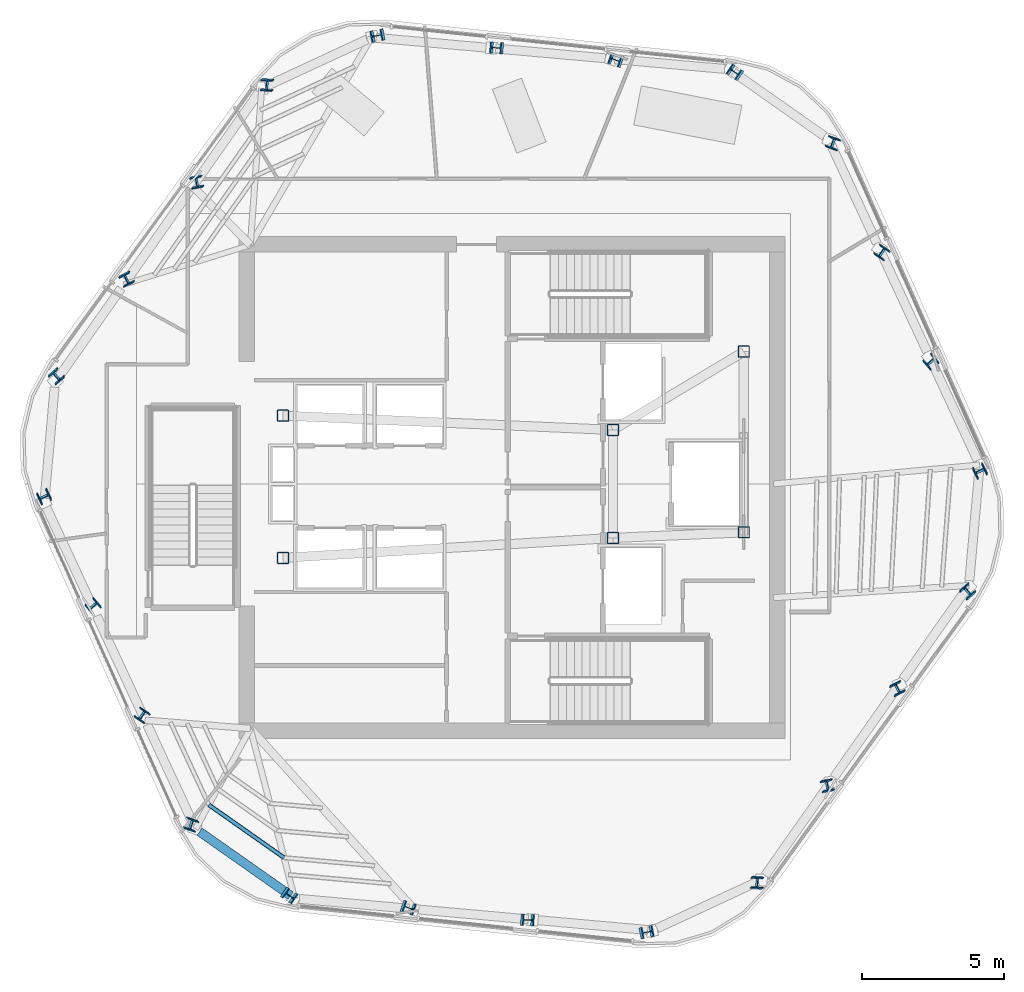
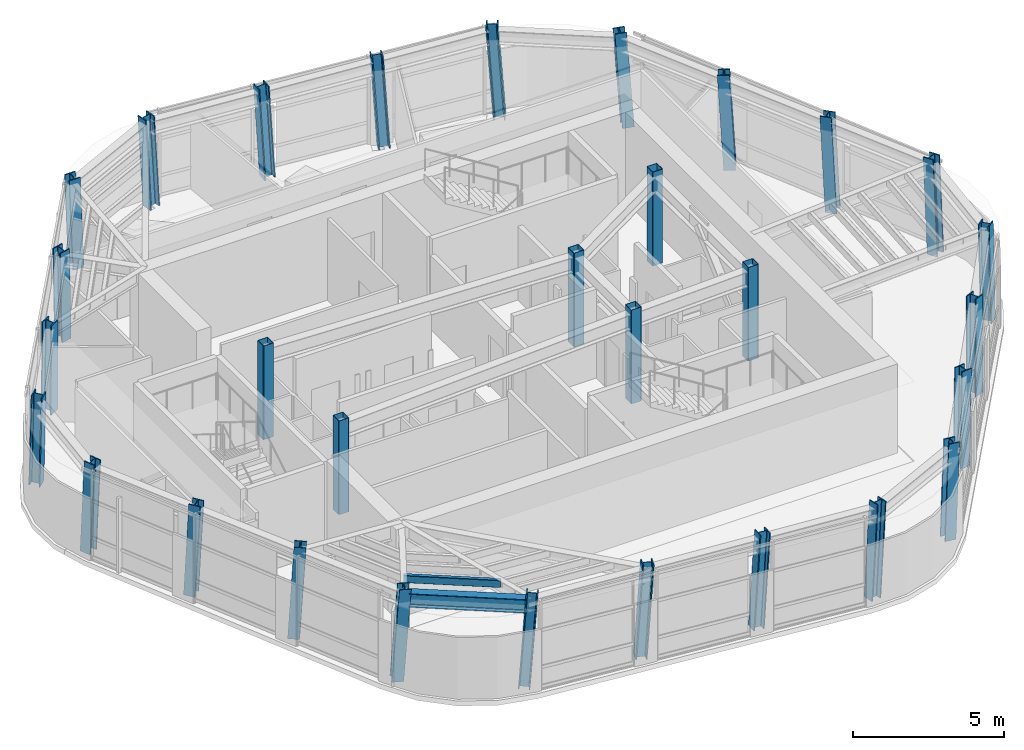
# One storey, part 1 of 12: 30 columns, 1 beam, 1 member.
"""IFC4 building model written with IfcOpenShell, lengths in metres."""

from ifc_helpers import new_model, si_unit, direction, frame, origin, origin_2d, place, context, subcontext, project, spatial, hollow_rectangle, i_section, extrude, material, material_profile, profile_set, type_object, element, save


model = new_model("IFC4")

# Units and contexts
model_context = context("Model", 3, precision=1e-05, world=origin(), true_north=direction((0.0, 1.0)))
body_context = subcontext(model_context, "Body", "Model", "MODEL_VIEW")
ifc_project = project(units=[si_unit("LENGTHUNIT", "METRE"), si_unit("AREAUNIT", "SQUARE_METRE"), si_unit("VOLUMEUNIT", "CUBIC_METRE"), si_unit("PLANEANGLEUNIT", "RADIAN"), si_unit("MASSUNIT", "GRAM", prefix="KILO")], contexts=[model_context])

# Site, building, storey
site_placement = place(None, origin())
site = spatial("IfcSite", under=ifc_project, at=site_placement, CompositionType="ELEMENT")
building_placement = place(site_placement, origin())
building = spatial("IfcBuilding", under=site, at=building_placement, Name="Valkerne Bourse Tower", CompositionType="ELEMENT")
storey_placement = place(building_placement, frame((0.0, 0.0, 258.39990234375)))
storey = spatial("IfcBuildingStorey", under=building, at=storey_placement, Name="L65", CompositionType="ELEMENT", Elevation=258.39990234375)

# Columns
ifc_material_1 = material(Name="Steel ASTM A500 Grade C", Category="steel")
ifc_material_profile_1 = material_profile(ifc_material_1, hollow_rectangle(XDim=0.39990234375, YDim=0.39990234375, WallThickness=0.01611328125, OuterFilletRadius=0.031982421875, at=origin_2d()), Name="HSS400X400X16")
ifc_profile_set_1 = profile_set([ifc_material_profile_1], Name="Steel ASTM A500 Grade C")
column_type_1 = type_object("IfcColumnType", Name="COL-HSS400X400X16", PredefinedType="COLUMN", material=ifc_profile_set_1)
for number, where, z_axis, x_axis, name in (
    (1, (38.75, 24.39990234375, 0.005126953125), (0.0, 0.0, 1.0), (1.0, 0.0, 0.0), "L65 Core Frame Column CC-SW"),
    (2, (38.75, 29.39990234375, 0.005126953125), (0.0, 0.0, 1.0), (1.0, 0.0, 0.0), "L65 Core Frame Column CC-NW"),
    (3, (50.35009765625, 25.10009765625, 0.005126953125), (0.0, 0.0, 1.0), (1.0, 0.0, 0.0), "L65 Core Frame Column CC-CE1"),
    (4, (50.35009765625, 28.89990234375, 0.005126953125), (0.0, 0.0, 1.0), (1.0, 0.0, 0.0), "L65 Core Frame Column CC-CE2"),
    (5, (54.949951171875, 25.300048828125, 0.005126953125), (0.0, 0.0, 1.0), (1.0, 0.0, 0.0), "L65 Core Frame Column CC-SE"),
    (6, (54.949951171875, 31.64990234375, 0.005126953125), (0.0, 0.0, 1.0), (1.0, 0.0, 0.0), "L65 Core Frame Column CC-NE"),
):
    element("IfcColumn", number, at=place(storey_placement, frame(where, z_axis=z_axis, x_axis=x_axis)), inside=storey, type_object=column_type_1, Name=name, PredefinedType="COLUMN", context=body_context, shape_type="SweptSolid", body=[
        extrude(hollow_rectangle(XDim=0.39990234375, YDim=0.39990234375, WallThickness=0.01611328125, OuterFilletRadius=0.031982421875, at=origin_2d()), origin(), (0.0, 0.0, 1.0), 3.794921875),
    ])
ifc_material_2 = material(Name="Steel ASTM A913 Grade 65", Category="steel")
ifc_material_profile_2 = material_profile(ifc_material_2, i_section(OverallWidth=0.4013671875, OverallDepth=0.398681640625, WebThickness=0.02490234375, FlangeThickness=0.03955078125, FilletRadius=0.025390625, at=origin_2d()), Name="W14X211")
ifc_profile_set_2 = profile_set([ifc_material_profile_2], Name="Steel ASTM A913 Grade 65")
column_type_2 = type_object("IfcColumnType", Name="COL-W14X211", PredefinedType="COLUMN", material=ifc_profile_set_2)
column_1_placement = place(storey_placement, frame((54.672119140625, 41.455078125, 0.010009765625), z_axis=(-0.06016815794, 0.032145514788, 0.997670516077), x_axis=(0.560624558123, 0.828039406857, 0.007130604589)))
element("IfcColumn", 7, at=column_1_placement, inside=storey, type_object=column_type_2, Name="L65 Helical Perimeter Tube Column F1-C1", PredefinedType="COLUMN", context=body_context, shape_type="SweptSolid", body=[
    extrude(i_section(OverallWidth=0.4013671875, OverallDepth=0.398681640625, WebThickness=0.02490234375, FlangeThickness=0.03955078125, FilletRadius=0.025390625, at=origin_2d()), origin(), (0.0, 0.0, 1.0), 3.789794921875),
])
for number, where, z_axis, x_axis, name in (
    (8, (50.483154296875, 41.895263671875, 0.010009765625), (-0.061861928128, 0.014821086947, 0.997974667629), (0.333159335996, 0.94284709433, 0.006649327233), "L65 Helical Perimeter Tube Column F1-C2"),
    (9, (46.294189453125, 42.335693359375, 0.010009765625), (-0.063537437534, -0.002642023265, 0.9979759585), (0.062908171597, 0.997997182634, 0.006647210027), "L65 Helical Perimeter Tube Column F1-C3"),
):
    element("IfcColumn", number, at=place(storey_placement, frame(where, z_axis=z_axis, x_axis=x_axis)), inside=storey, type_object=column_type_2, Name=name, PredefinedType="COLUMN", context=body_context, shape_type="SweptSolid", body=[
        extrude(i_section(OverallWidth=0.4013671875, OverallDepth=0.398681640625, WebThickness=0.02490234375, FlangeThickness=0.03955078125, FilletRadius=0.025390625, at=origin_2d()), origin(), (0.0, 0.0, 1.0), 3.78857421875),
    ])
for number, where, z_axis, x_axis, name in (
    (10, (42.105224609375, 42.77587890625, 0.010009765625), (-0.065193058305, -0.019970205607, 0.997672820135), (-0.191574198784, 0.981452256134, 0.007127081438), "L65 Helical Perimeter Tube Column F1-C4"),
    (11, (38.217529296875, 41.044921875, 0.010009765625), (-0.057913543628, -0.036010757384, 0.997671913415), (-0.995808054977, 0.072954507511, -0.055172071526), "L65 Helical Perimeter Tube Column F2-C1"),
):
    element("IfcColumn", number, at=place(storey_placement, frame(where, z_axis=z_axis, x_axis=x_axis)), inside=storey, type_object=column_type_2, Name=name, PredefinedType="COLUMN", context=body_context, shape_type="SweptSolid", body=[
        extrude(i_section(OverallWidth=0.4013671875, OverallDepth=0.398681640625, WebThickness=0.02490234375, FlangeThickness=0.03955078125, FilletRadius=0.025390625, at=origin_2d()), origin(), (0.0, 0.0, 1.0), 3.789794921875),
    ])
for number, where, z_axis, x_axis, name in (
    (12, (35.74169921875, 37.637451171875, 0.010009765625), (-0.043690052687, -0.046203197311, 0.997976173991), (-0.981805906982, -0.182785719242, -0.051444551277), "L65 Helical Perimeter Tube Column F2-C2"),
    (13, (33.26611328125, 34.229736328125, 0.010009765625), (-0.029513347576, -0.056320230963, 0.997976449571), (-0.895384284987, -0.442313011736, -0.051441052159), "L65 Helical Perimeter Tube Column F2-C3"),
):
    element("IfcColumn", number, at=place(storey_placement, frame(where, z_axis=z_axis, x_axis=x_axis)), inside=storey, type_object=column_type_2, Name=name, PredefinedType="COLUMN", context=body_context, shape_type="SweptSolid", body=[
        extrude(i_section(OverallWidth=0.4013671875, OverallDepth=0.398681640625, WebThickness=0.02490234375, FlangeThickness=0.03955078125, FilletRadius=0.025390625, at=origin_2d()), origin(), (0.0, 0.0, 1.0), 3.78857421875),
    ])
for number, where, z_axis, x_axis, name in (
    (14, (30.790283203125, 30.822265625, 0.010009765625), (-0.015267514223, -0.066481327756, 0.997670855578), (-0.753529078622, -0.65509433572, -0.055184590049), "L65 Helical Perimeter Tube Column F2-C4"),
    (15, (30.345458984375, 26.58984375, 0.010009765625), (0.002254699019, -0.068156330347, 0.997672105938), (0.436648686645, -0.897472499751, -0.062297966602), "L65 Helical Perimeter Tube Column F3-C1"),
):
    element("IfcColumn", number, at=place(storey_placement, frame(where, z_axis=z_axis, x_axis=x_axis)), inside=storey, type_object=column_type_2, Name=name, PredefinedType="COLUMN", context=body_context, shape_type="SweptSolid", body=[
        extrude(i_section(OverallWidth=0.4013671875, OverallDepth=0.398681640625, WebThickness=0.02490234375, FlangeThickness=0.03955078125, FilletRadius=0.025390625, at=origin_2d()), origin(), (0.0, 0.0, 1.0), 3.789794921875),
    ])
column_2_placement = place(storey_placement, frame((32.05859375, 22.741943359375, 0.010009765625), z_axis=(0.018171943651, -0.060959782604, 0.997974791951), x_axis=(0.650234740222, -0.757507669144, -0.0581112192)))
element("IfcColumn", 16, at=column_2_placement, inside=storey, type_object=column_type_2, Name="L65 Helical Perimeter Tube Column F3-C2", PredefinedType="COLUMN", context=body_context, shape_type="SweptSolid", body=[
    extrude(i_section(OverallWidth=0.4013671875, OverallDepth=0.398681640625, WebThickness=0.02490234375, FlangeThickness=0.03955078125, FilletRadius=0.025390625, at=origin_2d()), origin(), (0.0, 0.0, 1.0), 3.78857421875),
])
column_3_placement = place(storey_placement, frame((33.771728515625, 18.894287109375, 0.010009765625), z_axis=(0.034088318371, -0.053806702911, 0.997969350868), x_axis=(0.831499408824, -0.552469687738, -0.058189150677)))
element("IfcColumn", 17, at=column_3_placement, inside=storey, type_object=column_type_2, Name="L65 Helical Perimeter Tube Column F3-C3", PredefinedType="COLUMN", context=body_context, shape_type="SweptSolid", body=[
    extrude(i_section(OverallWidth=0.4013671875, OverallDepth=0.398681640625, WebThickness=0.02490234375, FlangeThickness=0.03955078125, FilletRadius=0.025390625, at=origin_2d()), origin(), (0.0, 0.0, 1.0), 3.788818359375),
])
for number, where, z_axis, x_axis, name in (
    (18, (35.485107421875, 15.04638671875, 0.010009765625), (0.049925341536, -0.046511092372, 0.997669373369), (0.944117791229, -0.323660330057, -0.062334477078), "L65 Helical Perimeter Tube Column F3-C4"),
    (19, (38.927978515625, 12.544921875, 0.010009765625), (0.06016815794, -0.032145514788, 0.997670516077), (0.560624558123, 0.828039406857, -0.007130604589), "L65 Helical Perimeter Tube Column F4-C1"),
):
    element("IfcColumn", number, at=place(storey_placement, frame(where, z_axis=z_axis, x_axis=x_axis)), inside=storey, type_object=column_type_2, Name=name, PredefinedType="COLUMN", context=body_context, shape_type="SweptSolid", body=[
        extrude(i_section(OverallWidth=0.4013671875, OverallDepth=0.398681640625, WebThickness=0.02490234375, FlangeThickness=0.03955078125, FilletRadius=0.025390625, at=origin_2d()), origin(), (0.0, 0.0, 1.0), 3.789794921875),
    ])
for number, where, z_axis, x_axis, name in (
    (20, (43.11669921875, 12.104736328125, 0.010009765625), (0.061926120649, -0.014821027835, 0.997970687303), (0.332936611784, 0.942925719332, -0.006655851261), "L65 Helical Perimeter Tube Column F4-C2"),
    (21, (47.305908203125, 11.664306640625, 0.010009765625), (0.063537437534, 0.002642023265, 0.9979759585), (0.062908171597, 0.997997182634, -0.006647210027), "L65 Helical Perimeter Tube Column F4-C3"),
):
    element("IfcColumn", number, at=place(storey_placement, frame(where, z_axis=z_axis, x_axis=x_axis)), inside=storey, type_object=column_type_2, Name=name, PredefinedType="COLUMN", context=body_context, shape_type="SweptSolid", body=[
        extrude(i_section(OverallWidth=0.4013671875, OverallDepth=0.398681640625, WebThickness=0.02490234375, FlangeThickness=0.03955078125, FilletRadius=0.025390625, at=origin_2d()), origin(), (0.0, 0.0, 1.0), 3.78857421875),
    ])
for number, where, z_axis, x_axis, name in (
    (22, (51.49462890625, 11.22412109375, 0.010009765625), (0.065257204126, 0.019970121697, 0.997668628127), (-0.19130326281, 0.981505056002, -0.007133490162), "L65 Helical Perimeter Tube Column F4-C4"),
    (23, (55.38232421875, 12.955078125, 0.010009765625), (0.057977747165, 0.036010622961, 0.997668189263), (-0.995769011111, 0.073452402372, 0.05521613076), "L65 Helical Perimeter Tube Column F5-C1"),
):
    element("IfcColumn", number, at=place(storey_placement, frame(where, z_axis=z_axis, x_axis=x_axis)), inside=storey, type_object=column_type_2, Name=name, PredefinedType="COLUMN", context=body_context, shape_type="SweptSolid", body=[
        extrude(i_section(OverallWidth=0.4013671875, OverallDepth=0.398681640625, WebThickness=0.02490234375, FlangeThickness=0.03955078125, FilletRadius=0.025390625, at=origin_2d()), origin(), (0.0, 0.0, 1.0), 3.789794921875),
    ])
for number, where, z_axis, x_axis, name in (
    (24, (57.858154296875, 16.362548828125, 0.010009765625), (0.043754369018, 0.046203067136, 0.997973362259), (-0.981938570587, -0.182061606569, 0.051480238996), "L65 Helical Perimeter Tube Column F5-C2"),
    (25, (60.333984375, 19.770263671875, 0.010009765625), (0.029513347576, 0.056320230963, 0.997976449571), (-0.895384284987, -0.442313011736, 0.051441052159), "L65 Helical Perimeter Tube Column F5-C3"),
):
    element("IfcColumn", number, at=place(storey_placement, frame(where, z_axis=z_axis, x_axis=x_axis)), inside=storey, type_object=column_type_2, Name=name, PredefinedType="COLUMN", context=body_context, shape_type="SweptSolid", body=[
        extrude(i_section(OverallWidth=0.4013671875, OverallDepth=0.398681640625, WebThickness=0.02490234375, FlangeThickness=0.03955078125, FilletRadius=0.025390625, at=origin_2d()), origin(), (0.0, 0.0, 1.0), 3.78857421875),
    ])
for number, where, z_axis, x_axis, name in (
    (26, (62.809814453125, 23.177734375, 0.010009765625), (0.015267514223, 0.066481327756, 0.997670855578), (-0.753529078622, -0.65509433572, 0.055184590049), "L65 Helical Perimeter Tube Column F5-C4"),
    (27, (63.25439453125, 27.41015625, 0.010009765625), (-0.002190279361, 0.068156340105, 0.997672248777), (0.435801124745, -0.897884503091, 0.062296057501), "L65 Helical Perimeter Tube Column F6-C1"),
):
    element("IfcColumn", number, at=place(storey_placement, frame(where, z_axis=z_axis, x_axis=x_axis)), inside=storey, type_object=column_type_2, Name=name, PredefinedType="COLUMN", context=body_context, shape_type="SweptSolid", body=[
        extrude(i_section(OverallWidth=0.4013671875, OverallDepth=0.398681640625, WebThickness=0.02490234375, FlangeThickness=0.03955078125, FilletRadius=0.025390625, at=origin_2d()), origin(), (0.0, 0.0, 1.0), 3.789794921875),
    ])
for number, where, z_axis, x_axis, name in (
    (28, (61.541259765625, 31.258056640625, 0.010009765625), (-0.018107525301, 0.060959853861, 0.9979759585), (0.649499125487, -0.758139772982, 0.058094497288), "L65 Helical Perimeter Tube Column F6-C2"),
    (29, (59.828125, 35.105712890625, 0.010009765625), (-0.034023953873, 0.053806820992, 0.997971540966), (0.831027778314, -0.553182160371, 0.05815779498), "L65 Helical Perimeter Tube Column F6-C3"),
):
    element("IfcColumn", number, at=place(storey_placement, frame(where, z_axis=z_axis, x_axis=x_axis)), inside=storey, type_object=column_type_2, Name=name, PredefinedType="COLUMN", context=body_context, shape_type="SweptSolid", body=[
        extrude(i_section(OverallWidth=0.4013671875, OverallDepth=0.398681640625, WebThickness=0.02490234375, FlangeThickness=0.03955078125, FilletRadius=0.025390625, at=origin_2d()), origin(), (0.0, 0.0, 1.0), 3.78857421875),
    ])
column_4_placement = place(storey_placement, frame((58.114990234375, 38.95361328125, 0.010009765625), z_axis=(-0.049925341536, 0.046511092372, 0.997669373369), x_axis=(0.944117791229, -0.323660330057, 0.062334477078)))
element("IfcColumn", 30, at=column_4_placement, inside=storey, type_object=column_type_2, Name="L65 Helical Perimeter Tube Column F6-C4", PredefinedType="COLUMN", context=body_context, shape_type="SweptSolid", body=[
    extrude(i_section(OverallWidth=0.4013671875, OverallDepth=0.398681640625, WebThickness=0.02490234375, FlangeThickness=0.03955078125, FilletRadius=0.025390625, at=origin_2d()), origin(), (0.0, 0.0, 1.0), 3.789794921875),
])

# Beam
ifc_material_3 = material(Name="Steel ASTM A992", Category="steel")
ifc_material_profile_3 = material_profile(ifc_material_3, i_section(OverallWidth=0.31494140625, OverallDepth=0.5537109375, WebThickness=0.0166015625, FlangeThickness=0.026123046875, FilletRadius=0.020263671875, at=origin_2d()), Name="W21X132")
ifc_profile_set_3 = profile_set([ifc_material_profile_3], Name="Steel ASTM A992")
beam_type = type_object("IfcBeamType", Name="BM-W21X132", PredefinedType="BEAM", material=ifc_profile_set_3)
beam_placement = place(storey_placement, frame((35.813232421875, 14.772216796875, 3.3232421875), z_axis=(0.818187733121, -0.574951157378, 0.0), x_axis=(0.574951157378, 0.818187733121, 0.0)))
element("IfcBeam", 31, at=beam_placement, inside=storey, type_object=beam_type, Name="L65 Hexagonal Spandrel Ring Beam 11", PredefinedType="BEAM", context=body_context, shape_type="SweptSolid", body=[
    extrude(i_section(OverallWidth=0.31494140625, OverallDepth=0.5537109375, WebThickness=0.0166015625, FlangeThickness=0.026123046875, FilletRadius=0.020263671875, at=origin_2d()), origin(), (0.0, 0.0, 1.0), 3.91552734375),
])

# Member
ifc_material_profile_4 = material_profile(ifc_material_1, hollow_rectangle(XDim=0.14990234375, YDim=0.300048828125, WallThickness=0.012451171875, OuterFilletRadius=0.02490234375, at=origin_2d()), Name="HSS300X150X12.5")
ifc_profile_set_4 = profile_set([ifc_material_profile_4], Name="Steel ASTM A500 Grade C")
member_type = type_object("IfcMemberType", Name="MBR-HSS300X150X12.5", PredefinedType="PURLIN", material=ifc_profile_set_4)
member_placement = place(storey_placement, frame((36.136474609375, 15.71728515625, 3.440185546875), z_axis=(0.818152344565, -0.575001513983, 0.0), x_axis=(0.575001513983, 0.818152344565, 0.0)))
element("IfcMember", 32, at=member_placement, inside=storey, type_object=member_type, Name="L65 Secondary Composite Floor Purlin O-11", PredefinedType="PURLIN", context=body_context, shape_type="SweptSolid", body=[
    extrude(hollow_rectangle(XDim=0.14990234375, YDim=0.300048828125, WallThickness=0.012451171875, OuterFilletRadius=0.02490234375, at=origin_2d()), origin(), (0.0, 0.0, 1.0), 3.234130859375),
])

save(model, "model.ifc")
